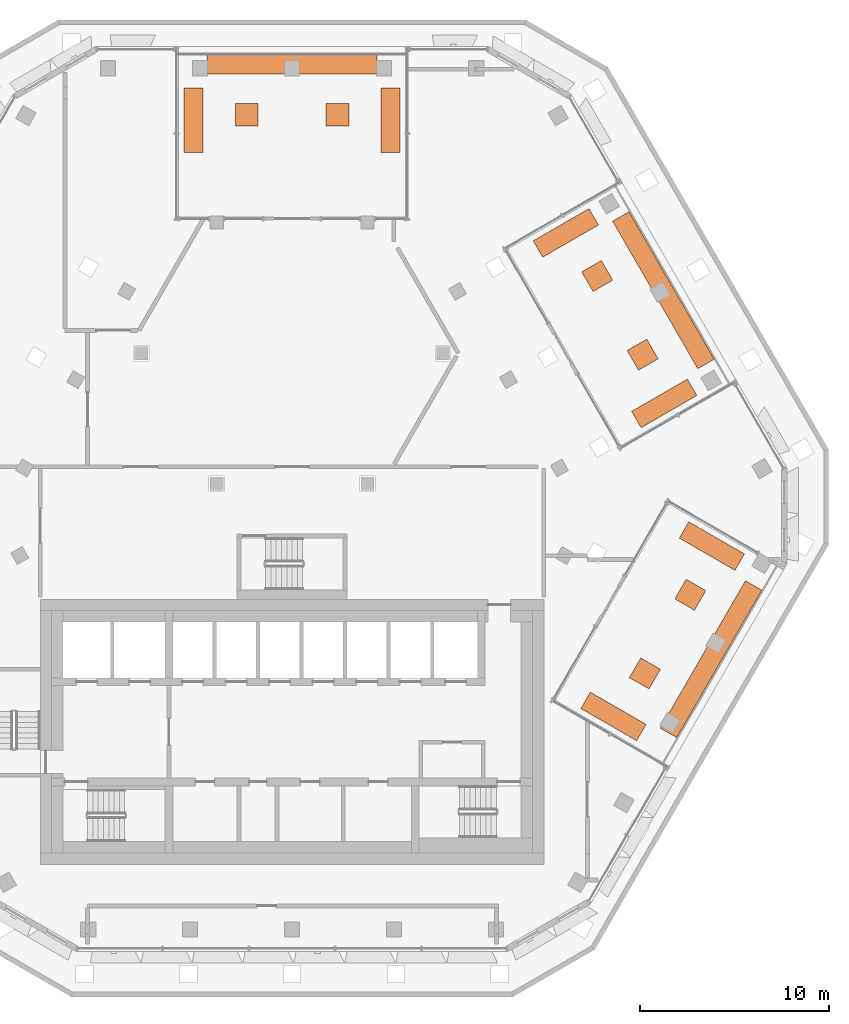
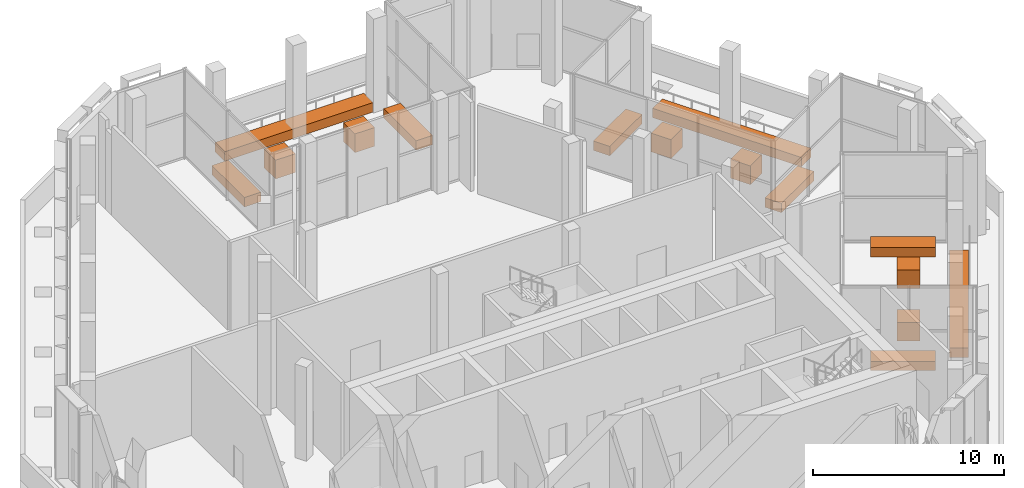
# One storey, part 23 of 23: 15 proxies.
"""IFC4 building model written with IfcOpenShell, lengths in metres."""

from ifc_helpers import new_model, si_unit, direction, frame, origin, place, context, subcontext, project, spatial, polyline, outline, extrude, material, type_object, element, save


model = new_model("IFC4")

# Units and contexts
model_context = context("Model", 3, precision=1e-05, world=origin(), true_north=direction((0.0, 1.0)))
body_context = subcontext(model_context, "Body", "Model", "MODEL_VIEW")
ifc_project = project(units=[si_unit("LENGTHUNIT", "METRE"), si_unit("AREAUNIT", "SQUARE_METRE"), si_unit("VOLUMEUNIT", "CUBIC_METRE"), si_unit("PLANEANGLEUNIT", "RADIAN"), si_unit("MASSUNIT", "GRAM", prefix="KILO")], contexts=[model_context])

# Site, building, storey
site_placement = place(None, origin())
site = spatial("IfcSite", under=ifc_project, at=site_placement, CompositionType="ELEMENT")
building_placement = place(site_placement, origin())
building = spatial("IfcBuilding", under=site, at=building_placement, Name="Beryl Residences", CompositionType="ELEMENT")
storey_placement = place(building_placement, frame((0.0, 0.0, 157.199951171875)))
storey = spatial("IfcBuildingStorey", under=building, at=storey_placement, Name="L48", CompositionType="ELEMENT", Elevation=157.199951171875)

# Proxies
ifc_material_1 = material(Name="Planting soil in precast concrete C40/50 trough", Category="concrete")
building_element_proxy_type_1 = type_object("IfcBuildingElementProxyType", Name="PL1 planter bed 600 mm", PredefinedType="USERDEFINED", material=ifc_material_1)
proxy_1_placement = place(storey_placement, origin())
element("IfcBuildingElementProxy", 1, at=proxy_1_placement, inside=storey, type_object=building_element_proxy_type_1, Name="PL1 planter bed L48 N 1", ObjectType="PLANTER", PredefinedType="USERDEFINED", context=body_context, shape_type="SweptSolid", body=[
    extrude(outline(polyline([(4.5, 23.75), (-4.5, 23.75), (-4.5, 22.75), (4.5, 22.75), (4.5, 23.75)])), origin(), (0.0, 0.0, 1.0), 0.60009765625),
])
proxy_2_placement = place(storey_placement, origin())
element("IfcBuildingElementProxy", 2, at=proxy_2_placement, inside=storey, type_object=building_element_proxy_type_1, Name="PL1 planter bed L48 N 2", ObjectType="PLANTER", PredefinedType="USERDEFINED", context=body_context, shape_type="SweptSolid", body=[
    extrude(outline(polyline([(5.699951171875, 22.0), (4.699951171875, 22.0), (4.699951171875, 18.60009765625), (5.699951171875, 18.60009765625), (5.699951171875, 22.0)])), origin(), (0.0, 0.0, 1.0), 0.60009765625),
])
proxy_3_placement = place(storey_placement, origin())
element("IfcBuildingElementProxy", 3, at=proxy_3_placement, inside=storey, type_object=building_element_proxy_type_1, Name="PL1 planter bed L48 N 3", ObjectType="PLANTER", PredefinedType="USERDEFINED", context=body_context, shape_type="SweptSolid", body=[
    extrude(outline(polyline([(-4.699951171875, 22.0), (-5.699951171875, 22.0), (-5.699951171875, 18.60009765625), (-4.699951171875, 18.60009765625), (-4.699951171875, 22.0)])), origin(), (0.0, 0.0, 1.0), 0.60009765625),
])
proxy_4_placement = place(storey_placement, origin())
element("IfcBuildingElementProxy", 4, at=proxy_4_placement, inside=storey, type_object=building_element_proxy_type_1, Name="PL1 planter bed L48 SE 1", ObjectType="PLANTER", PredefinedType="USERDEFINED", context=body_context, shape_type="SweptSolid", body=[
    extrude(outline(polyline([(20.31689453125, -12.30810546875), (24.81396484375, -4.52001953125), (23.947998046875, -4.02001953125), (19.450927734375, -11.80810546875), (20.31689453125, -12.30810546875)])), origin(), (0.0, 0.0, 1.0), 0.60009765625),
])
proxy_5_placement = place(storey_placement, origin())
element("IfcBuildingElementProxy", 5, at=proxy_5_placement, inside=storey, type_object=building_element_proxy_type_1, Name="PL1 planter bed L48 SE 2", ObjectType="PLANTER", PredefinedType="USERDEFINED", context=body_context, shape_type="SweptSolid", body=[
    extrude(outline(polyline([(18.201904296875, -12.471923828125), (18.701904296875, -11.60595703125), (15.757080078125, -9.906005859375), (15.257080078125, -10.77197265625), (18.201904296875, -12.471923828125)])), origin(), (0.0, 0.0, 1.0), 0.60009765625),
])
proxy_6_placement = place(storey_placement, origin())
element("IfcBuildingElementProxy", 6, at=proxy_6_placement, inside=storey, type_object=building_element_proxy_type_1, Name="PL1 planter bed L48 SE 3", ObjectType="PLANTER", PredefinedType="USERDEFINED", context=body_context, shape_type="SweptSolid", body=[
    extrude(outline(polyline([(23.39794921875, -3.471923828125), (23.89794921875, -2.60595703125), (20.9541015625, -0.906005859375), (20.4541015625, -1.77197265625), (23.39794921875, -3.471923828125)])), origin(), (0.0, 0.0, 1.0), 0.60009765625),
])
proxy_7_placement = place(storey_placement, origin())
element("IfcBuildingElementProxy", 7, at=proxy_7_placement, inside=storey, type_object=building_element_proxy_type_1, Name="PL1 planter bed L48 NE 1", ObjectType="PLANTER", PredefinedType="USERDEFINED", context=body_context, shape_type="SweptSolid", body=[
    extrude(outline(polyline([(22.298095703125, 7.677978515625), (17.798095703125, 15.471923828125), (16.931884765625, 14.971923828125), (21.431884765625, 7.177978515625), (22.298095703125, 7.677978515625)])), origin(), (0.0, 0.0, 1.0), 0.60009765625),
])
proxy_8_placement = place(storey_placement, origin())
element("IfcBuildingElementProxy", 8, at=proxy_8_placement, inside=storey, type_object=building_element_proxy_type_1, Name="PL1 planter bed L48 NE 2", ObjectType="PLANTER", PredefinedType="USERDEFINED", context=body_context, shape_type="SweptSolid", body=[
    extrude(outline(polyline([(21.383056640625, 5.763916015625), (20.883056640625, 6.6298828125), (17.93798828125, 4.929931640625), (18.43798828125, 4.06396484375), (21.383056640625, 5.763916015625)])), origin(), (0.0, 0.0, 1.0), 0.60009765625),
])
proxy_9_placement = place(storey_placement, origin())
element("IfcBuildingElementProxy", 9, at=proxy_9_placement, inside=storey, type_object=building_element_proxy_type_1, Name="PL1 planter bed L48 NE 3", ObjectType="PLANTER", PredefinedType="USERDEFINED", context=body_context, shape_type="SweptSolid", body=[
    extrude(outline(polyline([(16.18310546875, 14.77001953125), (15.68310546875, 15.635986328125), (12.738037109375, 13.93603515625), (13.238037109375, 13.070068359375), (16.18310546875, 14.77001953125)])), origin(), (0.0, 0.0, 1.0), 0.60009765625),
])
ifc_material_2 = material(Name="Planting soil in precast concrete C40/50 trough", Category="concrete")
building_element_proxy_type_2 = type_object("IfcBuildingElementProxyType", Name="PL2 tree planter 1200 mm", PredefinedType="USERDEFINED", material=ifc_material_2)
proxy_10_placement = place(storey_placement, origin())
element("IfcBuildingElementProxy", 10, at=proxy_10_placement, inside=storey, type_object=building_element_proxy_type_2, Name="PL2 tree planter L48 N 1", ObjectType="PLANTER", PredefinedType="USERDEFINED", context=body_context, shape_type="SweptSolid", body=[
    extrude(outline(polyline([(3.0, 21.199951171875), (1.800048828125, 21.199951171875), (1.800048828125, 20.0), (3.0, 20.0), (3.0, 21.199951171875)])), origin(), (0.0, 0.0, 1.0), 1.199951171875),
])
proxy_11_placement = place(storey_placement, origin())
element("IfcBuildingElementProxy", 11, at=proxy_11_placement, inside=storey, type_object=building_element_proxy_type_2, Name="PL2 tree planter L48 N 2", ObjectType="PLANTER", PredefinedType="USERDEFINED", context=body_context, shape_type="SweptSolid", body=[
    extrude(outline(polyline([(-1.800048828125, 21.199951171875), (-3.0, 21.199951171875), (-3.0, 20.0), (-1.800048828125, 20.0), (-1.800048828125, 21.199951171875)])), origin(), (0.0, 0.0, 1.0), 1.199951171875),
])
proxy_12_placement = place(storey_placement, origin())
element("IfcBuildingElementProxy", 12, at=proxy_12_placement, inside=storey, type_object=building_element_proxy_type_2, Name="PL2 tree planter L48 SE 1", ObjectType="PLANTER", PredefinedType="USERDEFINED", context=body_context, shape_type="SweptSolid", body=[
    extrude(outline(polyline([(18.85693359375, -9.737060546875), (19.45703125, -8.697998046875), (18.41796875, -8.097900390625), (17.818115234375, -9.136962890625), (18.85693359375, -9.737060546875)])), origin(), (0.0, 0.0, 1.0), 1.199951171875),
])
proxy_13_placement = place(storey_placement, origin())
element("IfcBuildingElementProxy", 13, at=proxy_13_placement, inside=storey, type_object=building_element_proxy_type_2, Name="PL2 tree planter L48 SE 2", ObjectType="PLANTER", PredefinedType="USERDEFINED", context=body_context, shape_type="SweptSolid", body=[
    extrude(outline(polyline([(21.257080078125, -5.580078125), (21.85693359375, -4.541015625), (20.818115234375, -3.94091796875), (20.218017578125, -4.97998046875), (21.257080078125, -5.580078125)])), origin(), (0.0, 0.0, 1.0), 1.199951171875),
])
proxy_14_placement = place(storey_placement, origin())
element("IfcBuildingElementProxy", 14, at=proxy_14_placement, inside=storey, type_object=building_element_proxy_type_2, Name="PL2 tree planter L48 NE 1", ObjectType="PLANTER", PredefinedType="USERDEFINED", context=body_context, shape_type="SweptSolid", body=[
    extrude(outline(polyline([(19.340087890625, 7.701904296875), (18.739990234375, 8.740966796875), (17.700927734375, 8.14111328125), (18.301025390625, 7.10205078125), (19.340087890625, 7.701904296875)])), origin(), (0.0, 0.0, 1.0), 1.199951171875),
])
proxy_15_placement = place(storey_placement, origin())
element("IfcBuildingElementProxy", 15, at=proxy_15_placement, inside=storey, type_object=building_element_proxy_type_2, Name="PL2 tree planter L48 NE 2", ObjectType="PLANTER", PredefinedType="USERDEFINED", context=body_context, shape_type="SweptSolid", body=[
    extrude(outline(polyline([(16.93994140625, 11.85888671875), (16.340087890625, 12.89794921875), (15.301025390625, 12.298095703125), (15.90087890625, 11.259033203125), (16.93994140625, 11.85888671875)])), origin(), (0.0, 0.0, 1.0), 1.199951171875),
])

save(model, "model.ifc")
